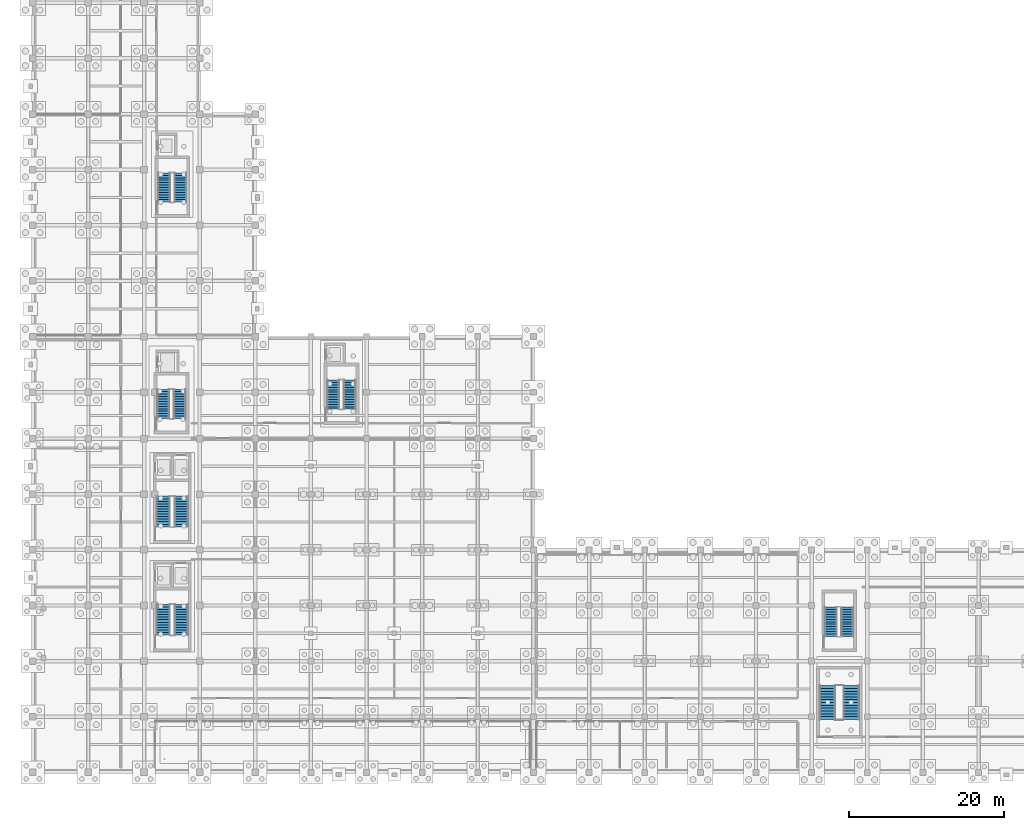
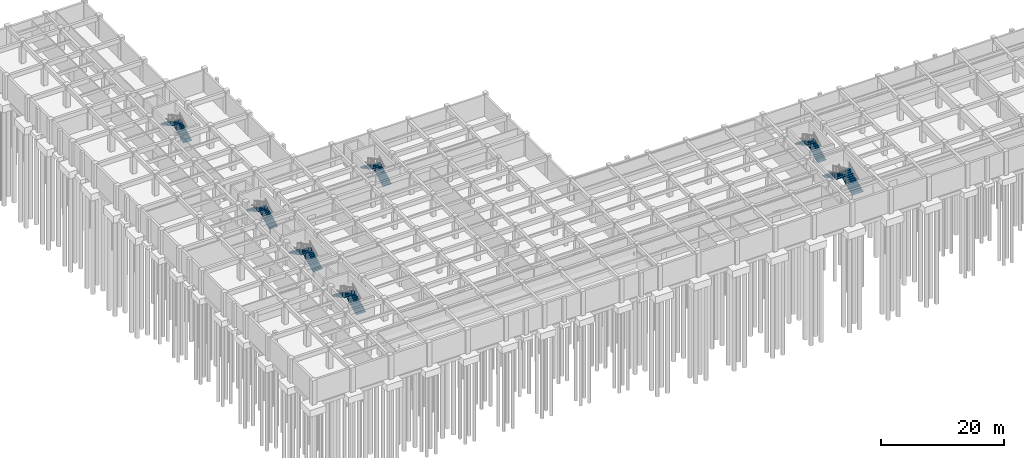
# One storey, part 21 of 28: 14 stair flights, 7 elements without a shape of their own.
"""IFC4 building model written with IfcOpenShell, lengths in metres."""

from ifc_helpers import new_model, si_unit, direction, frame, origin, place, context, subcontext, project, spatial, polyline, outline, extrude, material, type_object, element, aggregate, save


model = new_model("IFC4")

# Units and contexts
model_context = context("Model", 3, precision=1e-05, world=origin(), true_north=direction((0.0, 1.0)))
body_context = subcontext(model_context, "Body", "Model", "MODEL_VIEW")
ifc_project = project(units=[si_unit("LENGTHUNIT", "METRE"), si_unit("AREAUNIT", "SQUARE_METRE"), si_unit("VOLUMEUNIT", "CUBIC_METRE"), si_unit("PLANEANGLEUNIT", "RADIAN"), si_unit("MASSUNIT", "GRAM", prefix="KILO")], contexts=[model_context])

# Site, building, storey
site_placement = place(None, origin())
site = spatial("IfcSite", under=ifc_project, at=site_placement, CompositionType="ELEMENT")
building_placement = place(site_placement, origin())
building = spatial("IfcBuilding", under=site, at=building_placement, Name="Alvorim Cloister Faculty of Sciences", CompositionType="ELEMENT")
storey_placement = place(building_placement, frame((0.0, 0.0, -4.5)))
storey = spatial("IfcBuildingStorey", under=building, at=storey_placement, Name="B01", CompositionType="ELEMENT", Elevation=-4.5)

# Stair, stair flights
ifc_material = material(Name="Concrete C40", Category="concrete")
stair_type_1 = type_object("IfcStairType", Name="STR-ST-01-1780x4500", PredefinedType="HALF_TURN_STAIR", material=ifc_material)
stair_1_placement = place(storey_placement, origin())
stair_1 = element("IfcStair", 1, at=stair_1_placement, inside=storey, type_object=stair_type_1, Name="B01 Enclosed Smoke-Proof Stair ST-01", PredefinedType="HALF_TURN_STAIR")
stair_flight_type_1 = type_object("IfcStairFlightType", Name="FLT-ST-01-1780x2250", PredefinedType="STRAIGHT", material=ifc_material)
stair_flight_1_placement = place(storey_placement, frame((19.22998046875, 17.780029296875, 0.0), z_axis=(0.0, 0.0, 1.0), x_axis=(0.0, 1.0, 0.0)))
stair_flight_1 = element("IfcStairFlight", 2, at=stair_flight_1_placement, type_object=stair_flight_type_1, Name="ST-01 flight 1", NumberOfRisers=13, NumberOfTreads=12, PredefinedType="STRAIGHT", RiserHeight=0.173076923, TreadLength=0.33, context=body_context, shape_type="SweptSolid", body=[
    extrude(outline(polyline([(0.34423828125, 0.0), (3.9599609375, 1.896240234375), (3.9599609375, 2.25), (3.9599609375, 2.076904296875), (3.6298828125, 2.076904296875), (3.6298828125, 1.90380859375), (3.300048828125, 1.90380859375), (3.300048828125, 1.730712890625), (2.969970703125, 1.730712890625), (2.969970703125, 1.5576171875), (2.639892578125, 1.5576171875), (2.639892578125, 1.384521484375), (2.31005859375, 1.384521484375), (2.31005859375, 1.21142578125), (1.97998046875, 1.21142578125), (1.97998046875, 1.03857421875), (1.64990234375, 1.03857421875), (1.64990234375, 0.865478515625), (1.320068359375, 0.865478515625), (1.320068359375, 0.6923828125), (0.989990234375, 0.6923828125), (0.989990234375, 0.519287109375), (0.659912109375, 0.519287109375), (0.659912109375, 0.34619140625), (0.330078125, 0.34619140625), (0.330078125, 0.173095703125), (0.0, 0.173095703125), (0.0, 0.0), (0.34423828125, 0.0)])), frame((0.0, 0.89013671875, 0.0), z_axis=(0.0, -1.0, 0.0), x_axis=(1.0, 0.0, 0.0)), (0.0, 0.0, 1.0), 1.780029296875),
])
stair_flight_2_placement = place(storey_placement, frame((16.889892578125, 21.739990234375, 2.25), z_axis=(0.0, 0.0, 1.0), x_axis=(0.0, -1.0, 0.0)))
stair_flight_2 = element("IfcStairFlight", 3, at=stair_flight_2_placement, type_object=stair_flight_type_1, Name="ST-01 flight 2", NumberOfRisers=13, NumberOfTreads=12, PredefinedType="STRAIGHT", RiserHeight=0.173076923, TreadLength=0.33, context=body_context, shape_type="SweptSolid", body=[
    extrude(outline(polyline([(0.34423828125, 0.0), (3.9599609375, 1.896240234375), (3.9599609375, 2.25), (3.9599609375, 2.076904296875), (3.6298828125, 2.076904296875), (3.6298828125, 1.90380859375), (3.300048828125, 1.90380859375), (3.300048828125, 1.730712890625), (2.969970703125, 1.730712890625), (2.969970703125, 1.5576171875), (2.639892578125, 1.5576171875), (2.639892578125, 1.384521484375), (2.31005859375, 1.384521484375), (2.31005859375, 1.21142578125), (1.97998046875, 1.21142578125), (1.97998046875, 1.03857421875), (1.64990234375, 1.03857421875), (1.64990234375, 0.865478515625), (1.320068359375, 0.865478515625), (1.320068359375, 0.6923828125), (0.989990234375, 0.6923828125), (0.989990234375, 0.519287109375), (0.659912109375, 0.519287109375), (0.659912109375, 0.34619140625), (0.330078125, 0.34619140625), (0.330078125, 0.173095703125), (0.0, 0.173095703125), (0.0, 0.0), (0.34423828125, 0.0)])), frame((0.0, 0.89013671875, 0.0), z_axis=(0.0, -1.0, 0.0), x_axis=(1.0, 0.0, 0.0)), (0.0, 0.0, 1.0), 1.780029296875),
])
aggregate(stair_1, [stair_flight_1, stair_flight_2])

stair_type_2 = type_object("IfcStairType", Name="STR-ST-02-1780x4500", PredefinedType="HALF_TURN_STAIR", material=ifc_material)
stair_2_placement = place(storey_placement, origin())
stair_2 = element("IfcStair", 4, at=stair_2_placement, inside=storey, type_object=stair_type_2, Name="B01 Enclosed Smoke-Proof Stair ST-02", PredefinedType="HALF_TURN_STAIR")
stair_flight_type_2 = type_object("IfcStairFlightType", Name="FLT-ST-02-1780x2250", PredefinedType="STRAIGHT", material=ifc_material)
stair_flight_3_placement = place(storey_placement, frame((19.22998046875, 31.780029296875, 0.0), z_axis=(0.0, 0.0, 1.0), x_axis=(0.0, 1.0, 0.0)))
stair_flight_3 = element("IfcStairFlight", 5, at=stair_flight_3_placement, type_object=stair_flight_type_2, Name="ST-02 flight 1", NumberOfRisers=13, NumberOfTreads=12, PredefinedType="STRAIGHT", RiserHeight=0.173076923, TreadLength=0.33, context=body_context, shape_type="SweptSolid", body=[
    extrude(outline(polyline([(0.34423828125, 0.0), (3.9599609375, 1.896240234375), (3.9599609375, 2.25), (3.9599609375, 2.076904296875), (3.6298828125, 2.076904296875), (3.6298828125, 1.90380859375), (3.300048828125, 1.90380859375), (3.300048828125, 1.730712890625), (2.969970703125, 1.730712890625), (2.969970703125, 1.5576171875), (2.639892578125, 1.5576171875), (2.639892578125, 1.384521484375), (2.31005859375, 1.384521484375), (2.31005859375, 1.21142578125), (1.97998046875, 1.21142578125), (1.97998046875, 1.03857421875), (1.64990234375, 1.03857421875), (1.64990234375, 0.865478515625), (1.320068359375, 0.865478515625), (1.320068359375, 0.6923828125), (0.989990234375, 0.6923828125), (0.989990234375, 0.519287109375), (0.659912109375, 0.519287109375), (0.659912109375, 0.34619140625), (0.330078125, 0.34619140625), (0.330078125, 0.173095703125), (0.0, 0.173095703125), (0.0, 0.0), (0.34423828125, 0.0)])), frame((0.0, 0.89013671875, 0.0), z_axis=(0.0, -1.0, 0.0), x_axis=(1.0, 0.0, 0.0)), (0.0, 0.0, 1.0), 1.780029296875),
])
stair_flight_4_placement = place(storey_placement, frame((16.889892578125, 35.739990234375, 2.25), z_axis=(0.0, 0.0, 1.0), x_axis=(0.0, -1.0, 0.0)))
stair_flight_4 = element("IfcStairFlight", 6, at=stair_flight_4_placement, type_object=stair_flight_type_2, Name="ST-02 flight 2", NumberOfRisers=13, NumberOfTreads=12, PredefinedType="STRAIGHT", RiserHeight=0.173076923, TreadLength=0.33, context=body_context, shape_type="SweptSolid", body=[
    extrude(outline(polyline([(0.34423828125, 0.0), (3.9599609375, 1.896240234375), (3.9599609375, 2.25), (3.9599609375, 2.076904296875), (3.6298828125, 2.076904296875), (3.6298828125, 1.90380859375), (3.300048828125, 1.90380859375), (3.300048828125, 1.730712890625), (2.969970703125, 1.730712890625), (2.969970703125, 1.5576171875), (2.639892578125, 1.5576171875), (2.639892578125, 1.384521484375), (2.31005859375, 1.384521484375), (2.31005859375, 1.21142578125), (1.97998046875, 1.21142578125), (1.97998046875, 1.03857421875), (1.64990234375, 1.03857421875), (1.64990234375, 0.865478515625), (1.320068359375, 0.865478515625), (1.320068359375, 0.6923828125), (0.989990234375, 0.6923828125), (0.989990234375, 0.519287109375), (0.659912109375, 0.519287109375), (0.659912109375, 0.34619140625), (0.330078125, 0.34619140625), (0.330078125, 0.173095703125), (0.0, 0.173095703125), (0.0, 0.0), (0.34423828125, 0.0)])), frame((0.0, 0.89013671875, 0.0), z_axis=(0.0, -1.0, 0.0), x_axis=(1.0, 0.0, 0.0)), (0.0, 0.0, 1.0), 1.780029296875),
])
aggregate(stair_2, [stair_flight_3, stair_flight_4])

stair_type_3 = type_object("IfcStairType", Name="STR-ST-03-1600x4500", PredefinedType="HALF_TURN_STAIR", material=ifc_material)
stair_3_placement = place(storey_placement, origin())
stair_3 = element("IfcStair", 7, at=stair_3_placement, inside=storey, type_object=stair_type_3, Name="B01 Enclosed Smoke-Proof Stair ST-03", PredefinedType="HALF_TURN_STAIR")
stair_flight_type_3 = type_object("IfcStairFlightType", Name="FLT-ST-03-1600x2250", PredefinedType="STRAIGHT", material=ifc_material)
stair_flight_5_placement = place(storey_placement, frame((19.02001953125, 45.800048828125, 0.0), z_axis=(0.0, 0.0, 1.0), x_axis=(0.0, 1.0, 0.0)))
stair_flight_5 = element("IfcStairFlight", 8, at=stair_flight_5_placement, type_object=stair_flight_type_3, Name="ST-03 flight 1", NumberOfRisers=13, NumberOfTreads=12, PredefinedType="STRAIGHT", RiserHeight=0.173076923, TreadLength=0.315, context=body_context, shape_type="SweptSolid", body=[
    extrude(outline(polyline([(0.33203125, 0.0), (3.780029296875, 1.89453125), (3.780029296875, 2.25), (3.780029296875, 2.076904296875), (3.465087890625, 2.076904296875), (3.465087890625, 1.90380859375), (3.14990234375, 1.90380859375), (3.14990234375, 1.730712890625), (2.8349609375, 1.730712890625), (2.8349609375, 1.5576171875), (2.52001953125, 1.5576171875), (2.52001953125, 1.384521484375), (2.205078125, 1.384521484375), (2.205078125, 1.21142578125), (1.889892578125, 1.21142578125), (1.889892578125, 1.03857421875), (1.574951171875, 1.03857421875), (1.574951171875, 0.865478515625), (1.260009765625, 0.865478515625), (1.260009765625, 0.6923828125), (0.945068359375, 0.6923828125), (0.945068359375, 0.519287109375), (0.6298828125, 0.519287109375), (0.6298828125, 0.34619140625), (0.31494140625, 0.34619140625), (0.31494140625, 0.173095703125), (0.0, 0.173095703125), (0.0, 0.0), (0.33203125, 0.0)])), frame((0.0, 0.800048828125, 0.0), z_axis=(0.0, -1.0, 0.0), x_axis=(1.0, 0.0, 0.0)), (0.0, 0.0, 1.0), 1.60009765625),
])
stair_flight_6_placement = place(storey_placement, frame((16.89990234375, 49.580078125, 2.25), z_axis=(0.0, 0.0, 1.0), x_axis=(0.0, -1.0, 0.0)))
stair_flight_6 = element("IfcStairFlight", 9, at=stair_flight_6_placement, type_object=stair_flight_type_3, Name="ST-03 flight 2", NumberOfRisers=13, NumberOfTreads=12, PredefinedType="STRAIGHT", RiserHeight=0.173076923, TreadLength=0.315, context=body_context, shape_type="SweptSolid", body=[
    extrude(outline(polyline([(0.33203125, 0.0), (3.780029296875, 1.89453125), (3.780029296875, 2.25), (3.780029296875, 2.076904296875), (3.465087890625, 2.076904296875), (3.465087890625, 1.90380859375), (3.14990234375, 1.90380859375), (3.14990234375, 1.730712890625), (2.8349609375, 1.730712890625), (2.8349609375, 1.5576171875), (2.52001953125, 1.5576171875), (2.52001953125, 1.384521484375), (2.205078125, 1.384521484375), (2.205078125, 1.21142578125), (1.889892578125, 1.21142578125), (1.889892578125, 1.03857421875), (1.574951171875, 1.03857421875), (1.574951171875, 0.865478515625), (1.260009765625, 0.865478515625), (1.260009765625, 0.6923828125), (0.945068359375, 0.6923828125), (0.945068359375, 0.519287109375), (0.6298828125, 0.519287109375), (0.6298828125, 0.34619140625), (0.31494140625, 0.34619140625), (0.31494140625, 0.173095703125), (0.0, 0.173095703125), (0.0, 0.0), (0.33203125, 0.0)])), frame((0.0, 0.800048828125, 0.0), z_axis=(0.0, -1.0, 0.0), x_axis=(1.0, 0.0, 0.0)), (0.0, 0.0, 1.0), 1.60009765625),
])
aggregate(stair_3, [stair_flight_5, stair_flight_6])

stair_type_4 = type_object("IfcStairType", Name="STR-ST-04-1600x4500", PredefinedType="HALF_TURN_STAIR", material=ifc_material)
stair_4_placement = place(storey_placement, origin())
stair_4 = element("IfcStair", 10, at=stair_4_placement, inside=storey, type_object=stair_type_4, Name="B01 Enclosed Smoke-Proof Stair ST-04", PredefinedType="HALF_TURN_STAIR")
stair_flight_type_4 = type_object("IfcStairFlightType", Name="FLT-ST-04-1600x2250", PredefinedType="STRAIGHT", material=ifc_material)
stair_flight_7_placement = place(storey_placement, frame((41.02001953125, 47.0, 0.0), z_axis=(0.0, 0.0, 1.0), x_axis=(0.0, 1.0, 0.0)))
stair_flight_7 = element("IfcStairFlight", 11, at=stair_flight_7_placement, type_object=stair_flight_type_4, Name="ST-04 flight 1", NumberOfRisers=13, NumberOfTreads=12, PredefinedType="STRAIGHT", RiserHeight=0.173076923, TreadLength=0.315, context=body_context, shape_type="SweptSolid", body=[
    extrude(outline(polyline([(0.33203125, 0.0), (3.780029296875, 1.89453125), (3.780029296875, 2.25), (3.780029296875, 2.076904296875), (3.465087890625, 2.076904296875), (3.465087890625, 1.90380859375), (3.14990234375, 1.90380859375), (3.14990234375, 1.730712890625), (2.8349609375, 1.730712890625), (2.8349609375, 1.5576171875), (2.52001953125, 1.5576171875), (2.52001953125, 1.384521484375), (2.205078125, 1.384521484375), (2.205078125, 1.21142578125), (1.889892578125, 1.21142578125), (1.889892578125, 1.03857421875), (1.574951171875, 1.03857421875), (1.574951171875, 0.865478515625), (1.260009765625, 0.865478515625), (1.260009765625, 0.6923828125), (0.945068359375, 0.6923828125), (0.945068359375, 0.519287109375), (0.6298828125, 0.519287109375), (0.6298828125, 0.34619140625), (0.31494140625, 0.34619140625), (0.31494140625, 0.173095703125), (0.0, 0.173095703125), (0.0, 0.0), (0.33203125, 0.0)])), frame((0.0, 0.800048828125, 0.0), z_axis=(0.0, -1.0, 0.0), x_axis=(1.0, 0.0, 0.0)), (0.0, 0.0, 1.0), 1.60009765625),
])
stair_flight_8_placement = place(storey_placement, frame((38.89990234375, 50.780029296875, 2.25), z_axis=(0.0, 0.0, 1.0), x_axis=(0.0, -1.0, 0.0)))
stair_flight_8 = element("IfcStairFlight", 12, at=stair_flight_8_placement, type_object=stair_flight_type_4, Name="ST-04 flight 2", NumberOfRisers=13, NumberOfTreads=12, PredefinedType="STRAIGHT", RiserHeight=0.173076923, TreadLength=0.315, context=body_context, shape_type="SweptSolid", body=[
    extrude(outline(polyline([(0.33203125, 0.0), (3.780029296875, 1.89453125), (3.780029296875, 2.25), (3.780029296875, 2.076904296875), (3.465087890625, 2.076904296875), (3.465087890625, 1.90380859375), (3.14990234375, 1.90380859375), (3.14990234375, 1.730712890625), (2.8349609375, 1.730712890625), (2.8349609375, 1.5576171875), (2.52001953125, 1.5576171875), (2.52001953125, 1.384521484375), (2.205078125, 1.384521484375), (2.205078125, 1.21142578125), (1.889892578125, 1.21142578125), (1.889892578125, 1.03857421875), (1.574951171875, 1.03857421875), (1.574951171875, 0.865478515625), (1.260009765625, 0.865478515625), (1.260009765625, 0.6923828125), (0.945068359375, 0.6923828125), (0.945068359375, 0.519287109375), (0.6298828125, 0.519287109375), (0.6298828125, 0.34619140625), (0.31494140625, 0.34619140625), (0.31494140625, 0.173095703125), (0.0, 0.173095703125), (0.0, 0.0), (0.33203125, 0.0)])), frame((0.0, 0.800048828125, 0.0), z_axis=(0.0, -1.0, 0.0), x_axis=(1.0, 0.0, 0.0)), (0.0, 0.0, 1.0), 1.60009765625),
])
aggregate(stair_4, [stair_flight_7, stair_flight_8])

stair_type_5 = type_object("IfcStairType", Name="STR-ST-05-1600x4500", PredefinedType="HALF_TURN_STAIR", material=ifc_material)
stair_5_placement = place(storey_placement, origin())
stair_5 = element("IfcStair", 13, at=stair_5_placement, inside=storey, type_object=stair_type_5, Name="B01 Enclosed Smoke-Proof Stair ST-05", PredefinedType="HALF_TURN_STAIR")
stair_flight_type_5 = type_object("IfcStairFlightType", Name="FLT-ST-05-1600x2250", PredefinedType="STRAIGHT", material=ifc_material)
stair_flight_9_placement = place(storey_placement, frame((19.1201171875, 73.800048828125, 0.0), z_axis=(0.0, 0.0, 1.0), x_axis=(0.0, 1.0, 0.0)))
stair_flight_9 = element("IfcStairFlight", 14, at=stair_flight_9_placement, type_object=stair_flight_type_5, Name="ST-05 flight 1", NumberOfRisers=13, NumberOfTreads=12, PredefinedType="STRAIGHT", RiserHeight=0.173076923, TreadLength=0.315, context=body_context, shape_type="SweptSolid", body=[
    extrude(outline(polyline([(0.33203125, 0.0), (3.780029296875, 1.89453125), (3.780029296875, 2.25), (3.780029296875, 2.076904296875), (3.465087890625, 2.076904296875), (3.465087890625, 1.90380859375), (3.14990234375, 1.90380859375), (3.14990234375, 1.730712890625), (2.8349609375, 1.730712890625), (2.8349609375, 1.5576171875), (2.52001953125, 1.5576171875), (2.52001953125, 1.384521484375), (2.205078125, 1.384521484375), (2.205078125, 1.21142578125), (1.889892578125, 1.21142578125), (1.889892578125, 1.03857421875), (1.574951171875, 1.03857421875), (1.574951171875, 0.865478515625), (1.260009765625, 0.865478515625), (1.260009765625, 0.6923828125), (0.945068359375, 0.6923828125), (0.945068359375, 0.519287109375), (0.6298828125, 0.519287109375), (0.6298828125, 0.34619140625), (0.31494140625, 0.34619140625), (0.31494140625, 0.173095703125), (0.0, 0.173095703125), (0.0, 0.0), (0.33203125, 0.0)])), frame((0.0, 0.800048828125, 0.0), z_axis=(0.0, -1.0, 0.0), x_axis=(1.0, 0.0, 0.0)), (0.0, 0.0, 1.0), 1.60009765625),
])
stair_flight_10_placement = place(storey_placement, frame((17.0, 77.580078125, 2.25), z_axis=(0.0, 0.0, 1.0), x_axis=(0.0, -1.0, 0.0)))
stair_flight_10 = element("IfcStairFlight", 15, at=stair_flight_10_placement, type_object=stair_flight_type_5, Name="ST-05 flight 2", NumberOfRisers=13, NumberOfTreads=12, PredefinedType="STRAIGHT", RiserHeight=0.173076923, TreadLength=0.315, context=body_context, shape_type="SweptSolid", body=[
    extrude(outline(polyline([(0.33203125, 0.0), (3.780029296875, 1.89453125), (3.780029296875, 2.25), (3.780029296875, 2.076904296875), (3.465087890625, 2.076904296875), (3.465087890625, 1.90380859375), (3.14990234375, 1.90380859375), (3.14990234375, 1.730712890625), (2.8349609375, 1.730712890625), (2.8349609375, 1.5576171875), (2.52001953125, 1.5576171875), (2.52001953125, 1.384521484375), (2.205078125, 1.384521484375), (2.205078125, 1.21142578125), (1.889892578125, 1.21142578125), (1.889892578125, 1.03857421875), (1.574951171875, 1.03857421875), (1.574951171875, 0.865478515625), (1.260009765625, 0.865478515625), (1.260009765625, 0.6923828125), (0.945068359375, 0.6923828125), (0.945068359375, 0.519287109375), (0.6298828125, 0.519287109375), (0.6298828125, 0.34619140625), (0.31494140625, 0.34619140625), (0.31494140625, 0.173095703125), (0.0, 0.173095703125), (0.0, 0.0), (0.33203125, 0.0)])), frame((0.0, 0.800048828125, 0.0), z_axis=(0.0, -1.0, 0.0), x_axis=(1.0, 0.0, 0.0)), (0.0, 0.0, 1.0), 1.60009765625),
])
aggregate(stair_5, [stair_flight_9, stair_flight_10])

stair_type_6 = type_object("IfcStairType", Name="STR-ST-06-1600x4500", PredefinedType="HALF_TURN_STAIR", material=ifc_material)
stair_6_placement = place(storey_placement, origin())
stair_6 = element("IfcStair", 16, at=stair_6_placement, inside=storey, type_object=stair_type_6, Name="B01 Enclosed Smoke-Proof Stair ST-06", PredefinedType="HALF_TURN_STAIR")
stair_flight_type_6 = type_object("IfcStairFlightType", Name="FLT-ST-06-1600x2250", PredefinedType="STRAIGHT", material=ifc_material)
stair_flight_11_placement = place(storey_placement, frame((105.419921875, 17.60009765625, 0.0), z_axis=(0.0, 0.0, 1.0), x_axis=(0.0, 1.0, 0.0)))
stair_flight_11 = element("IfcStairFlight", 17, at=stair_flight_11_placement, type_object=stair_flight_type_6, Name="ST-06 flight 1", NumberOfRisers=13, NumberOfTreads=12, PredefinedType="STRAIGHT", RiserHeight=0.173076923, TreadLength=0.315, context=body_context, shape_type="SweptSolid", body=[
    extrude(outline(polyline([(0.33203125, 0.0), (3.780029296875, 1.89453125), (3.780029296875, 2.25), (3.780029296875, 2.076904296875), (3.465087890625, 2.076904296875), (3.465087890625, 1.90380859375), (3.14990234375, 1.90380859375), (3.14990234375, 1.730712890625), (2.8349609375, 1.730712890625), (2.8349609375, 1.5576171875), (2.52001953125, 1.5576171875), (2.52001953125, 1.384521484375), (2.205078125, 1.384521484375), (2.205078125, 1.21142578125), (1.889892578125, 1.21142578125), (1.889892578125, 1.03857421875), (1.574951171875, 1.03857421875), (1.574951171875, 0.865478515625), (1.260009765625, 0.865478515625), (1.260009765625, 0.6923828125), (0.945068359375, 0.6923828125), (0.945068359375, 0.519287109375), (0.6298828125, 0.519287109375), (0.6298828125, 0.34619140625), (0.31494140625, 0.34619140625), (0.31494140625, 0.173095703125), (0.0, 0.173095703125), (0.0, 0.0), (0.33203125, 0.0)])), frame((0.0, 0.800048828125, 0.0), z_axis=(0.0, -1.0, 0.0), x_axis=(1.0, 0.0, 0.0)), (0.0, 0.0, 1.0), 1.60009765625),
])
stair_flight_12_placement = place(storey_placement, frame((103.300048828125, 21.3798828125, 2.25), z_axis=(0.0, 0.0, 1.0), x_axis=(0.0, -1.0, 0.0)))
stair_flight_12 = element("IfcStairFlight", 18, at=stair_flight_12_placement, type_object=stair_flight_type_6, Name="ST-06 flight 2", NumberOfRisers=13, NumberOfTreads=12, PredefinedType="STRAIGHT", RiserHeight=0.173076923, TreadLength=0.315, context=body_context, shape_type="SweptSolid", body=[
    extrude(outline(polyline([(0.33203125, 0.0), (3.780029296875, 1.89453125), (3.780029296875, 2.25), (3.780029296875, 2.076904296875), (3.465087890625, 2.076904296875), (3.465087890625, 1.90380859375), (3.14990234375, 1.90380859375), (3.14990234375, 1.730712890625), (2.8349609375, 1.730712890625), (2.8349609375, 1.5576171875), (2.52001953125, 1.5576171875), (2.52001953125, 1.384521484375), (2.205078125, 1.384521484375), (2.205078125, 1.21142578125), (1.889892578125, 1.21142578125), (1.889892578125, 1.03857421875), (1.574951171875, 1.03857421875), (1.574951171875, 0.865478515625), (1.260009765625, 0.865478515625), (1.260009765625, 0.6923828125), (0.945068359375, 0.6923828125), (0.945068359375, 0.519287109375), (0.6298828125, 0.519287109375), (0.6298828125, 0.34619140625), (0.31494140625, 0.34619140625), (0.31494140625, 0.173095703125), (0.0, 0.173095703125), (0.0, 0.0), (0.33203125, 0.0)])), frame((0.0, 0.800048828125, 0.0), z_axis=(0.0, -1.0, 0.0), x_axis=(1.0, 0.0, 0.0)), (0.0, 0.0, 1.0), 1.60009765625),
])
aggregate(stair_6, [stair_flight_11, stair_flight_12])

stair_type_7 = type_object("IfcStairType", Name="STR-ST-12-2050x4500", PredefinedType="HALF_TURN_STAIR", material=ifc_material)
stair_7_placement = place(storey_placement, origin())
stair_7 = element("IfcStair", 19, at=stair_7_placement, inside=storey, type_object=stair_type_7, Name="B01 Enclosed Smoke-Proof Stair ST-12", PredefinedType="HALF_TURN_STAIR")
stair_flight_type_7 = type_object("IfcStairFlightType", Name="FLT-ST-12-2050x2250", PredefinedType="STRAIGHT", material=ifc_material)
stair_flight_13_placement = place(storey_placement, frame((105.93505859375, 6.85009765625, 0.0), z_axis=(0.0, 0.0, 1.0), x_axis=(0.0, 1.0, 0.0)))
stair_flight_13 = element("IfcStairFlight", 20, at=stair_flight_13_placement, type_object=stair_flight_type_7, Name="ST-12 flight 1", NumberOfRisers=13, NumberOfTreads=12, PredefinedType="STRAIGHT", RiserHeight=0.173076923, TreadLength=0.365, context=body_context, shape_type="SweptSolid", body=[
    extrude(outline(polyline([(0.373291015625, 0.0), (4.3798828125, 1.89990234375), (4.3798828125, 2.25), (4.3798828125, 2.076904296875), (4.014892578125, 2.076904296875), (4.014892578125, 1.90380859375), (3.64990234375, 1.90380859375), (3.64990234375, 1.730712890625), (3.284912109375, 1.730712890625), (3.284912109375, 1.5576171875), (2.919921875, 1.5576171875), (2.919921875, 1.384521484375), (2.554931640625, 1.384521484375), (2.554931640625, 1.21142578125), (2.18994140625, 1.21142578125), (2.18994140625, 1.03857421875), (1.824951171875, 1.03857421875), (1.824951171875, 0.865478515625), (1.4599609375, 0.865478515625), (1.4599609375, 0.6923828125), (1.094970703125, 0.6923828125), (1.094970703125, 0.519287109375), (0.72998046875, 0.519287109375), (0.72998046875, 0.34619140625), (0.364990234375, 0.34619140625), (0.364990234375, 0.173095703125), (0.0, 0.173095703125), (0.0, 0.0), (0.373291015625, 0.0)])), frame((0.0, 1.02490234375, 0.0), z_axis=(0.0, -1.0, 0.0), x_axis=(1.0, 0.0, 0.0)), (0.0, 0.0, 1.0), 2.050048828125),
])
stair_flight_14_placement = place(storey_placement, frame((102.864990234375, 11.22998046875, 2.25), z_axis=(0.0, 0.0, 1.0), x_axis=(0.0, -1.0, 0.0)))
stair_flight_14 = element("IfcStairFlight", 21, at=stair_flight_14_placement, type_object=stair_flight_type_7, Name="ST-12 flight 2", NumberOfRisers=13, NumberOfTreads=12, PredefinedType="STRAIGHT", RiserHeight=0.173076923, TreadLength=0.365, context=body_context, shape_type="SweptSolid", body=[
    extrude(outline(polyline([(0.373291015625, 0.0), (4.3798828125, 1.89990234375), (4.3798828125, 2.25), (4.3798828125, 2.076904296875), (4.014892578125, 2.076904296875), (4.014892578125, 1.90380859375), (3.64990234375, 1.90380859375), (3.64990234375, 1.730712890625), (3.284912109375, 1.730712890625), (3.284912109375, 1.5576171875), (2.919921875, 1.5576171875), (2.919921875, 1.384521484375), (2.554931640625, 1.384521484375), (2.554931640625, 1.21142578125), (2.18994140625, 1.21142578125), (2.18994140625, 1.03857421875), (1.824951171875, 1.03857421875), (1.824951171875, 0.865478515625), (1.4599609375, 0.865478515625), (1.4599609375, 0.6923828125), (1.094970703125, 0.6923828125), (1.094970703125, 0.519287109375), (0.72998046875, 0.519287109375), (0.72998046875, 0.34619140625), (0.364990234375, 0.34619140625), (0.364990234375, 0.173095703125), (0.0, 0.173095703125), (0.0, 0.0), (0.373291015625, 0.0)])), frame((0.0, 1.02490234375, 0.0), z_axis=(0.0, -1.0, 0.0), x_axis=(1.0, 0.0, 0.0)), (0.0, 0.0, 1.0), 2.050048828125),
])
aggregate(stair_7, [stair_flight_13, stair_flight_14])

save(model, "model.ifc")
